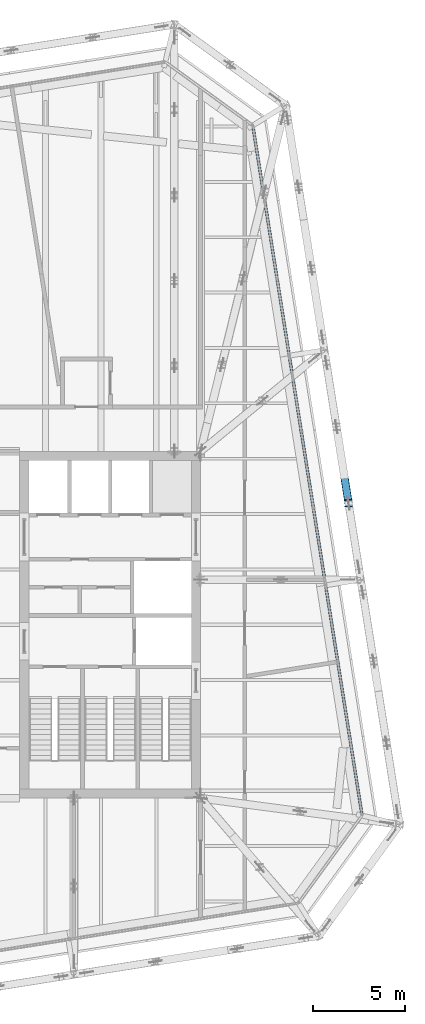
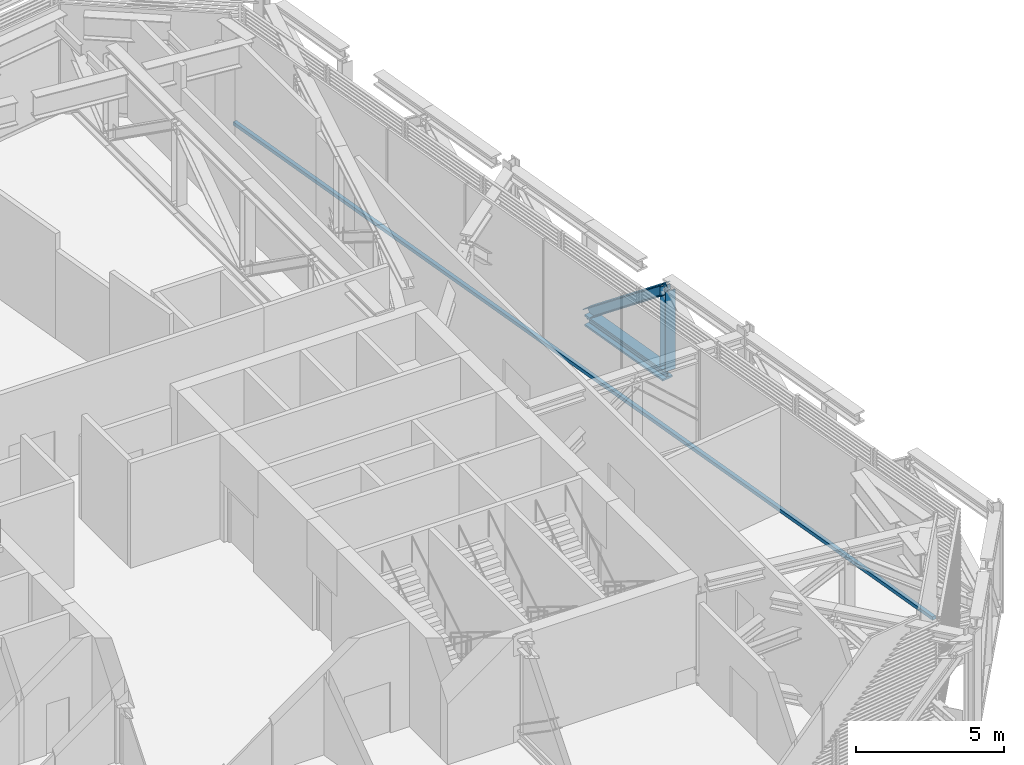
# One storey, part 11 of 32: 3 members, 1 beam, 1 element without a shape of its own.
"""IFC4 building model written with IfcOpenShell, lengths in metres."""

from ifc_helpers import new_model, si_unit, direction, frame, origin, origin_2d, place, context, subcontext, project, spatial, rectangle, i_section, extrude, material, layer, layer_set, material_profile, profile_set, type_object, element, aggregate, save


model = new_model("IFC4")

# Units and contexts
model_context = context("Model", 3, precision=1e-05, world=origin(), true_north=direction((0.0, 1.0)))
body_context = subcontext(model_context, "Body", "Model", "MODEL_VIEW")
ifc_project = project(units=[si_unit("LENGTHUNIT", "METRE"), si_unit("AREAUNIT", "SQUARE_METRE"), si_unit("VOLUMEUNIT", "CUBIC_METRE"), si_unit("PLANEANGLEUNIT", "RADIAN"), si_unit("MASSUNIT", "GRAM", prefix="KILO")], contexts=[model_context])

# Site, building, storey
site_placement = place(None, origin())
site = spatial("IfcSite", under=ifc_project, at=site_placement, CompositionType="ELEMENT")
building_placement = place(site_placement, origin())
building = spatial("IfcBuilding", under=site, at=building_placement, Name="Millrace Tower", CompositionType="ELEMENT")
storey_placement = place(building_placement, frame((0.0, 0.0, 266.89990234375)))
storey = spatial("IfcBuildingStorey", under=building, at=storey_placement, Name="L61", CompositionType="ELEMENT", Elevation=266.89990234375)

# Beam
ifc_material_1 = material(Name="Steel ASTM A992 Grade 50", Category="steel")
ifc_material_profile_1 = material_profile(ifc_material_1, i_section(OverallWidth=0.424072265625, OverallDepth=0.47509765625, WebThickness=0.0478515625, FlangeThickness=0.0771484375, FilletRadius=0.014892578125, at=origin_2d()))
ifc_profile_set_1 = profile_set([ifc_material_profile_1], Name="Steel ASTM A992 Grade 50")
beam_type = type_object("IfcBeamType", Name="Belt truss chord W14x426", PredefinedType="BEAM", material=ifc_profile_set_1)
beam_placement = place(storey_placement, frame((22.420654296875, 6.586669921875, 0.237548828125), z_axis=(-0.156419245009, 0.987690751091, 0.0), x_axis=(-0.987690751091, -0.156419245009, 0.0)))
element("IfcBeam", 1, at=beam_placement, inside=storey, type_object=beam_type, Name="BLT-L61-R07-B02", PredefinedType="BEAM", context=body_context, shape_type="SweptSolid", body=[
    extrude(i_section(OverallWidth=0.424072265625, OverallDepth=0.47509765625, WebThickness=0.0478515625, FlangeThickness=0.0771484375, FilletRadius=0.014892578125, at=origin_2d()), origin(), (0.0, 0.0, 1.0), 4.2001953125),
])

# Members
ifc_material_2 = material(Name="Steel ASTM A992 Grade 50", Category="steel")
ifc_material_profile_2 = material_profile(ifc_material_2, i_section(OverallWidth=0.398681640625, OverallDepth=0.385986328125, WebThickness=0.02099609375, FlangeThickness=0.033203125, FilletRadius=0.01513671875, at=origin_2d()))
ifc_profile_set_2 = profile_set([ifc_material_profile_2], Name="Steel ASTM A992 Grade 50")
member_type_1 = type_object("IfcMemberType", Name="Belt truss diagonal W14x176", PredefinedType="BRACE", material=ifc_profile_set_2)
member_1_placement = place(storey_placement, frame((21.763671875, 10.735107421875, 0.47509765625), z_axis=(0.123138600844, -0.777544074893, 0.616653952052), x_axis=(0.987690751091, 0.156419245009, 0.0)))
element("IfcMember", 2, at=member_1_placement, inside=storey, type_object=member_type_1, Name="BLT-L61-R07-D02", PredefinedType="BRACE", context=body_context, shape_type="SweptSolid", body=[
    extrude(i_section(OverallWidth=0.398681640625, OverallDepth=0.385986328125, WebThickness=0.02099609375, FlangeThickness=0.033203125, FilletRadius=0.01513671875, at=origin_2d()), origin(), (0.0, 0.0, 1.0), 5.335205078125),
])
ifc_material_3 = material(Name="Steel ASTM A992 Grade 50", Category="steel")
ifc_material_profile_3 = material_profile(ifc_material_3, i_section(OverallWidth=0.393798828125, OverallDepth=0.3759765625, WebThickness=0.017333984375, FlangeThickness=0.027587890625, FilletRadius=0.01513671875, at=origin_2d()))
ifc_profile_set_3 = profile_set([ifc_material_profile_3], Name="Steel ASTM A992 Grade 50")
member_type_2 = type_object("IfcMemberType", Name="Belt truss post W14x145", PredefinedType="POST", material=ifc_profile_set_3)
member_2_placement = place(storey_placement, frame((22.420654296875, 6.586669921875, 0.47509765625), z_axis=(0.0, 0.0, 1.0), x_axis=(1.0, 0.0, 0.0)))
element("IfcMember", 3, at=member_2_placement, inside=storey, type_object=member_type_2, Name="BLT-L61-R07-V01", PredefinedType="POST", context=body_context, shape_type="SweptSolid", body=[
    extrude(i_section(OverallWidth=0.393798828125, OverallDepth=0.3759765625, WebThickness=0.017333984375, FlangeThickness=0.027587890625, FilletRadius=0.01513671875, at=origin_2d()), origin(), (0.0, 0.0, 1.0), 3.2900390625),
])

# Curtain wall, member
ifc_material_4 = material(Name="Aluminium and glass", Category="aluminium")
ifc_layer = layer(ifc_material_4, 0.14990234375)
ifc_layer_set = layer_set([ifc_layer], Name="Aluminium and glass")
curtain_wall_type = type_object("IfcCurtainWallType", Name="CW-5 truss and plant storey louvred infill", PredefinedType="NOTDEFINED", material=ifc_layer_set)
curtain_wall_placement = place(storey_placement, origin())
curtain_wall = element("IfcCurtainWall", 4, at=curtain_wall_placement, inside=storey, type_object=curtain_wall_type, Name="Curtain wall D-F04 L61", PredefinedType="NOTDEFINED")
ifc_material_5 = material(Name="Aluminium", Category="aluminium")
ifc_material_profile_4 = material_profile(ifc_material_5, rectangle(XDim=0.14990234375, YDim=0.139892578125, at=origin_2d()))
ifc_profile_set_4 = profile_set([ifc_material_profile_4], Name="Aluminium")
member_type_3 = type_object("IfcMemberType", Name="CW-5 truss and plant storey louvred infill transom", PredefinedType="USERDEFINED", material=ifc_profile_set_4)
member_3_placement = place(storey_placement, frame((23.1318359375, -10.208740234375, 0.070068359375), z_axis=(-0.156432359726, 0.987688674042, 0.0), x_axis=(-0.987688674042, -0.156432359726, 0.0)))
member_3 = element("IfcMember", 5, at=member_3_placement, type_object=member_type_3, Name="CW5 transom D-F04.1", ObjectType="TRANSOM", PredefinedType="USERDEFINED", context=body_context, shape_type="SweptSolid", body=[
    extrude(rectangle(XDim=0.14990234375, YDim=0.139892578125, at=origin_2d()), origin(), (0.0, 0.0, 1.0), 37.599853515625),
])
aggregate(curtain_wall, [member_3])

save(model, "model.ifc")
